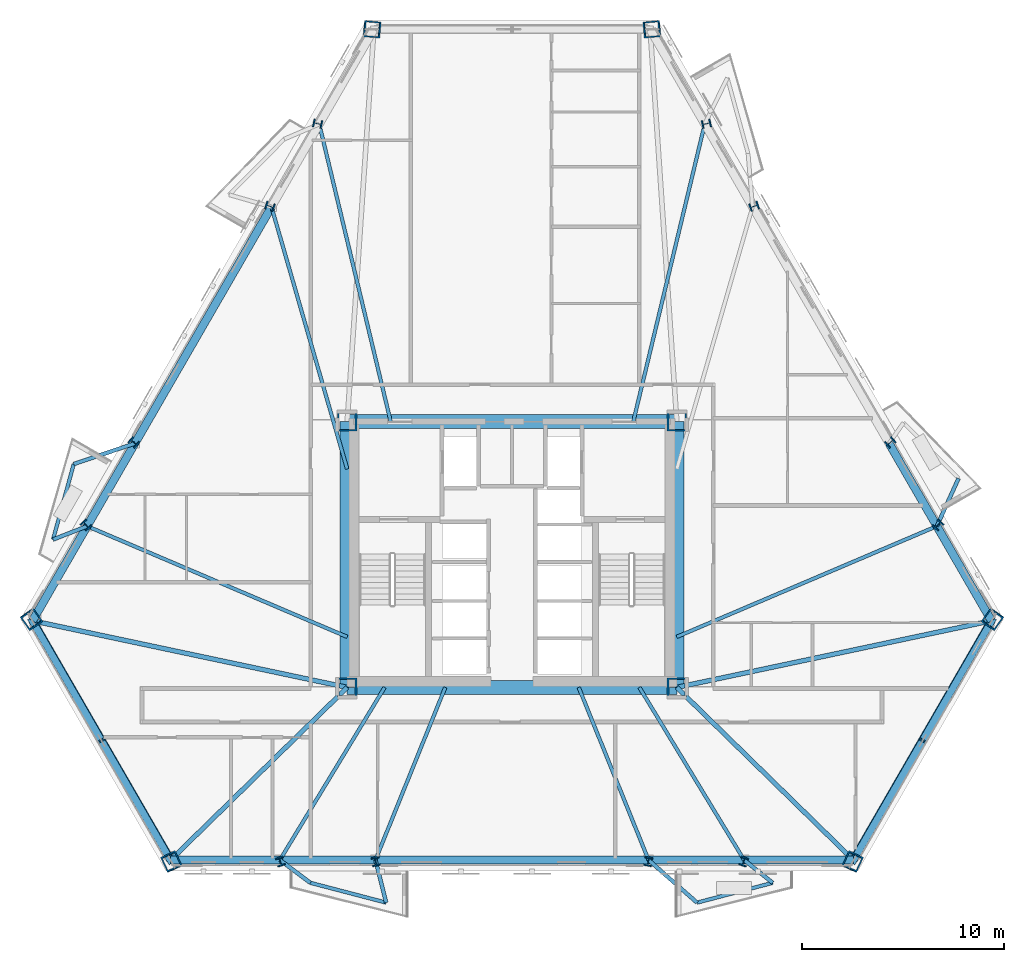
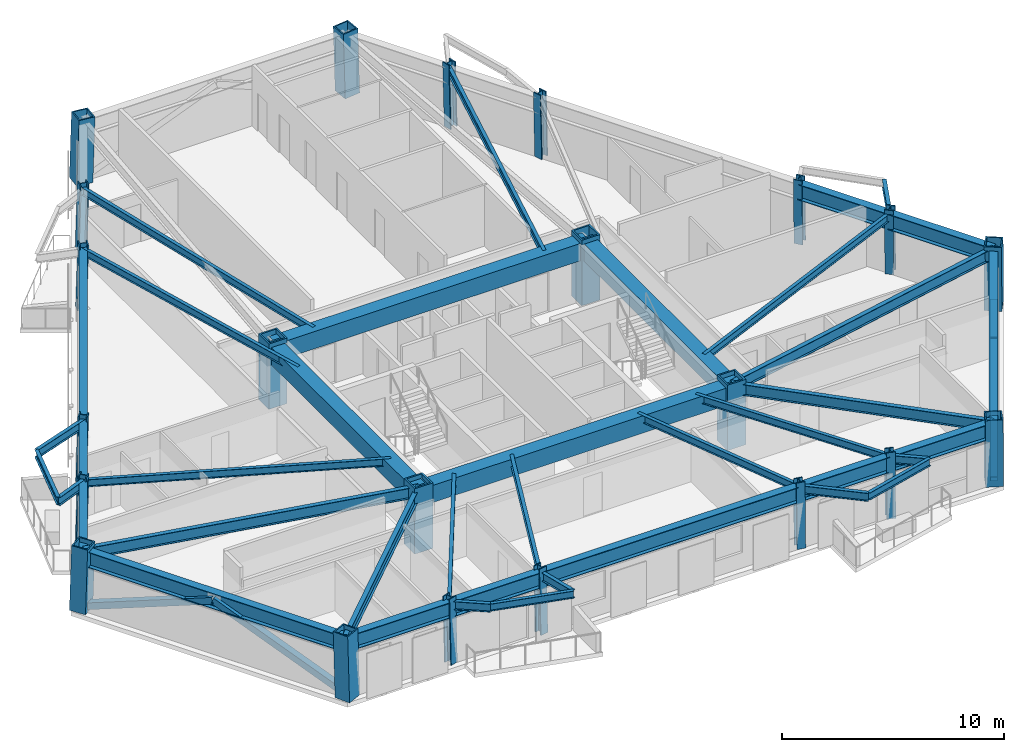
# One storey, part 1 of 10: 39 beams, 22 columns, 4 members.
"""IFC4 building model written with IfcOpenShell, lengths in metres."""

from ifc_helpers import new_model, si_unit, direction, frame, origin, origin_2d, place, context, subcontext, project, spatial, rectangle, hollow_rectangle, i_section, extrude, material, material_profile, profile_set, type_object, element, save


model = new_model("IFC4")

# Units and contexts
model_context = context("Model", 3, precision=1e-05, world=origin(), true_north=direction((0.0, 1.0)))
body_context = subcontext(model_context, "Body", "Model", "MODEL_VIEW")
ifc_project = project(units=[si_unit("LENGTHUNIT", "METRE"), si_unit("AREAUNIT", "SQUARE_METRE"), si_unit("VOLUMEUNIT", "CUBIC_METRE"), si_unit("PLANEANGLEUNIT", "RADIAN"), si_unit("MASSUNIT", "GRAM", prefix="KILO")], contexts=[model_context])

# Site, building, storey
site_placement = place(None, origin())
site = spatial("IfcSite", under=ifc_project, at=site_placement, CompositionType="ELEMENT")
building_placement = place(site_placement, origin())
building = spatial("IfcBuilding", under=site, at=building_placement, Name="Oramaril Tower", CompositionType="ELEMENT")
storey_placement = place(building_placement, frame((0.0, 0.0, 63.300048828125)))
storey = spatial("IfcBuildingStorey", under=building, at=storey_placement, Name="L16", CompositionType="ELEMENT", Elevation=63.300048828125)

# Columns
ifc_material_1 = material(Name="Steel ASTM A572 Gr 50", Category="steel")
ifc_material_profile_1 = material_profile(ifc_material_1, hollow_rectangle(XDim=0.949951171875, YDim=0.949951171875, WallThickness=0.080078125, at=origin_2d()), Name="BOX950X950X80")
ifc_profile_set_1 = profile_set([ifc_material_profile_1], Name="Steel ASTM A572 Gr 50")
column_type_1 = type_object("IfcColumnType", Name="CT-CC2", PredefinedType="COLUMN", material=ifc_profile_set_1)
for number, where, z_axis, x_axis, name in (
    (1, (29.35009765625, 11.0, 0.0), (0.0, 0.0, 1.0), (1.0, 0.0, 0.0), "L16 Core Column CC-1"),
    (2, (45.64990234375, 11.0, 0.0), (0.0, 0.0, 1.0), (1.0, 0.0, 0.0), "L16 Core Column CC-2"),
    (3, (45.64990234375, 24.14990234375, 0.0), (0.0, 0.0, 1.0), (1.0, 0.0, 0.0), "L16 Core Column CC-3"),
    (4, (29.35009765625, 24.14990234375, 0.0), (0.0, 0.0, 1.0), (1.0, 0.0, 0.0), "L16 Core Column CC-4"),
):
    element("IfcColumn", number, at=place(storey_placement, frame(where, z_axis=z_axis, x_axis=x_axis)), inside=storey, type_object=column_type_1, Name=name, PredefinedType="COLUMN", context=body_context, shape_type="SweptSolid", body=[
        extrude(hollow_rectangle(XDim=0.949951171875, YDim=0.949951171875, WallThickness=0.080078125, at=origin_2d()), origin(), (0.0, 0.0, 1.0), 3.599853515625),
    ])
ifc_material_2 = material(Name="Steel ASTM A572 Gr 50", Category="steel")
ifc_material_profile_2 = material_profile(ifc_material_2, hollow_rectangle(XDim=0.800048828125, YDim=0.800048828125, WallThickness=0.06494140625, at=origin_2d()), Name="BOX800X800X65")
ifc_profile_set_2 = profile_set([ifc_material_profile_2], Name="Steel ASTM A572 Gr 50")
column_type_2 = type_object("IfcColumnType", Name="CT-TC3", PredefinedType="COLUMN", material=ifc_profile_set_2)
for number, where, z_axis, x_axis, name in (
    (5, (13.726806640625, 14.38330078125, 0.00439453125), (0.016921115359, -0.023988569163, 0.99956901933), (0.817160280721, 0.57641050963, 0.0), "L16 Tube Column TC-01"),
    (6, (20.66259765625, 2.370361328125, 0.00439453125), (-0.012368061436, 0.026570945172, 0.999570415693), (-0.906597355845, -0.421996723181, 0.0), "L16 Tube Column TC-02"),
    (7, (54.33740234375, 2.370361328125, 0.00439453125), (0.012368061436, 0.026570945172, 0.999570415693), (-0.906597355845, 0.421996723181, 0.0), "L16 Tube Column TC-03"),
    (8, (61.273193359375, 14.38330078125, 0.00439453125), (-0.016921115359, -0.023988569163, 0.99956901933), (0.817160280721, -0.57641050963, 0.0), "L16 Tube Column TC-04"),
    (9, (44.435791015625, 43.54638671875, 0.00439453125), (-0.029221221178, -0.002582340476, 0.999569633268), (0.088029024614, -0.996117910102, 0.0), "L16 Tube Column TC-05"),
    (10, (30.564208984375, 43.54638671875, 0.00439453125), (0.029221221178, -0.002582340476, 0.999569633268), (0.088029024614, 0.996117910102, 0.0), "L16 Tube Column TC-06"),
):
    element("IfcColumn", number, at=place(storey_placement, frame(where, z_axis=z_axis, x_axis=x_axis)), inside=storey, type_object=column_type_2, Name=name, PredefinedType="COLUMN", context=body_context, shape_type="SweptSolid", body=[
        extrude(hollow_rectangle(XDim=0.800048828125, YDim=0.800048828125, WallThickness=0.06494140625, at=origin_2d()), origin(), (0.0, 0.0, 1.0), 3.592529296875),
    ])
ifc_material_3 = material(Name="Steel ASTM A572 Gr 50", Category="steel")
ifc_material_profile_3 = material_profile(ifc_material_3, i_section(OverallWidth=0.410888671875, OverallDepth=0.43408203125, WebThickness=0.035888671875, FlangeThickness=0.057373046875, at=origin_2d()), Name="W14X311")
ifc_profile_set_3 = profile_set([ifc_material_profile_3], Name="Steel ASTM A572 Gr 50")
column_type_3 = type_object("IfcColumnType", Name="CT-TF2", PredefinedType="COLUMN", material=ifc_profile_set_3)
column_1_placement = place(storey_placement, frame((26.050537109375, 2.370361328125, 0.00439453125), z_axis=(-0.008358982258, 0.026572049292, 0.999611951515), x_axis=(-0.953913931434, -0.300080341602, 0.0)))
element("IfcColumn", 11, at=column_1_placement, inside=storey, type_object=column_type_3, Name="L16 Tube Column TC-07", PredefinedType="COLUMN", context=body_context, shape_type="SweptSolid", body=[
    extrude(i_section(OverallWidth=0.410888671875, OverallDepth=0.43408203125, WebThickness=0.035888671875, FlangeThickness=0.057373046875, at=origin_2d()), origin(), (0.0, 0.0, 1.0), 3.592529296875),
])
for number, where, z_axis, x_axis, name in (
    (12, (30.764892578125, 2.370361328125, 0.00439453125), (-0.00489317516, 0.026572659547, 0.999634908655), (-0.983464979399, -0.181098410529, 0.0), "L16 Tube Column TC-08"),
    (13, (44.235107421875, 2.370361328125, 0.00439453125), (0.00489317516, 0.026572659547, 0.999634908655), (-0.983464979399, 0.181098410529, 0.0), "L16 Tube Column TC-09"),
):
    element("IfcColumn", number, at=place(storey_placement, frame(where, z_axis=z_axis, x_axis=x_axis)), inside=storey, type_object=column_type_3, Name=name, PredefinedType="COLUMN", context=body_context, shape_type="SweptSolid", body=[
        extrude(i_section(OverallWidth=0.410888671875, OverallDepth=0.43408203125, WebThickness=0.035888671875, FlangeThickness=0.057373046875, at=origin_2d()), origin(), (0.0, 0.0, 1.0), 3.59228515625),
    ])
for number, where, z_axis, x_axis, name in (
    (14, (48.949462890625, 2.370361328125, 0.00439453125), (0.008358982258, 0.026572049292, 0.999611951515), (-0.953913931434, 0.300080341602, 0.0), "L16 Tube Column TC-10"),
    (15, (58.5791015625, 19.04931640625, 0.00439453125), (-0.01882467693, -0.020591614115, 0.999610732719), (0.738063469676, -0.67473129076, 0.0), "L16 Tube Column TC-11"),
):
    element("IfcColumn", number, at=place(storey_placement, frame(where, z_axis=z_axis, x_axis=x_axis)), inside=storey, type_object=column_type_3, Name=name, PredefinedType="COLUMN", context=body_context, shape_type="SweptSolid", body=[
        extrude(i_section(OverallWidth=0.410888671875, OverallDepth=0.43408203125, WebThickness=0.035888671875, FlangeThickness=0.057373046875, at=origin_2d()), origin(), (0.0, 0.0, 1.0), 3.592529296875),
    ])
for number, where, z_axis, x_axis, name in (
    (16, (56.221923828125, 23.132080078125, 0.00439453125), (-0.020592097484, -0.017533865184, 0.999634197641), (0.648304646434, -0.761381038254, 0.0), "L16 Tube Column TC-12"),
    (17, (49.48681640625, 34.797607421875, 0.00439453125), (-0.025485272635, -0.009038776695, 0.999634333841), (0.334265827248, -0.942478836226, 0.0), "L16 Tube Column TC-13"),
):
    element("IfcColumn", number, at=place(storey_placement, frame(where, z_axis=z_axis, x_axis=x_axis)), inside=storey, type_object=column_type_3, Name=name, PredefinedType="COLUMN", context=body_context, shape_type="SweptSolid", body=[
        extrude(i_section(OverallWidth=0.410888671875, OverallDepth=0.43408203125, WebThickness=0.035888671875, FlangeThickness=0.057373046875, at=origin_2d()), origin(), (0.0, 0.0, 1.0), 3.59228515625),
    ])
for number, where, z_axis, x_axis, name in (
    (18, (47.129638671875, 38.88037109375, 0.00439453125), (-0.02725159654, -0.006048359332, 0.999610307988), (0.216672677077, -0.976244309079, 0.0), "L16 Tube Column TC-14"),
    (19, (27.870361328125, 38.88037109375, 0.00439453125), (0.02725159654, -0.006048359332, 0.999610307988), (0.216672677077, 0.976244309079, 0.0), "L16 Tube Column TC-15"),
):
    element("IfcColumn", number, at=place(storey_placement, frame(where, z_axis=z_axis, x_axis=x_axis)), inside=storey, type_object=column_type_3, Name=name, PredefinedType="COLUMN", context=body_context, shape_type="SweptSolid", body=[
        extrude(i_section(OverallWidth=0.410888671875, OverallDepth=0.43408203125, WebThickness=0.035888671875, FlangeThickness=0.057373046875, at=origin_2d()), origin(), (0.0, 0.0, 1.0), 3.592529296875),
    ])
for number, where, z_axis, x_axis, name in (
    (20, (25.51318359375, 34.797607421875, 0.00439453125), (0.025485272635, -0.009038776695, 0.999634333841), (0.334265827248, 0.942478836226, 0.0), "L16 Tube Column TC-16"),
    (21, (18.778076171875, 23.132080078125, 0.00439453125), (0.020592097484, -0.017533865184, 0.999634197641), (0.648304646434, 0.761381038254, 0.0), "L16 Tube Column TC-17"),
):
    element("IfcColumn", number, at=place(storey_placement, frame(where, z_axis=z_axis, x_axis=x_axis)), inside=storey, type_object=column_type_3, Name=name, PredefinedType="COLUMN", context=body_context, shape_type="SweptSolid", body=[
        extrude(i_section(OverallWidth=0.410888671875, OverallDepth=0.43408203125, WebThickness=0.035888671875, FlangeThickness=0.057373046875, at=origin_2d()), origin(), (0.0, 0.0, 1.0), 3.59228515625),
    ])
column_2_placement = place(storey_placement, frame((16.4208984375, 19.04931640625, 0.00439453125), z_axis=(0.01882467693, -0.020591614115, 0.999610732719), x_axis=(0.738063469676, 0.67473129076, 0.0)))
element("IfcColumn", 22, at=column_2_placement, inside=storey, type_object=column_type_3, Name="L16 Tube Column TC-18", PredefinedType="COLUMN", context=body_context, shape_type="SweptSolid", body=[
    extrude(i_section(OverallWidth=0.410888671875, OverallDepth=0.43408203125, WebThickness=0.035888671875, FlangeThickness=0.057373046875, at=origin_2d()), origin(), (0.0, 0.0, 1.0), 3.592529296875),
])

# Beams
ifc_material_4 = material(Name="Steel ASTM A572 Gr 50", Category="steel")
ifc_material_profile_4 = material_profile(ifc_material_4, i_section(OverallWidth=0.19091796875, OverallDepth=0.45703125, WebThickness=0.009033203125, FlangeThickness=0.014404296875, at=origin_2d()), Name="W18X50")
ifc_profile_set_4 = profile_set([ifc_material_profile_4], Name="Steel ASTM A572 Gr 50")
beam_type_1 = type_object("IfcBeamType", Name="BT-BB1", PredefinedType="BEAM", material=ifc_profile_set_4)
beam_1_placement = place(storey_placement, frame((26.0205078125, 2.4658203125, 3.13134765625), z_axis=(0.801164290805, -0.598444466212, 0.0), x_axis=(0.598444466212, 0.801164290805, 0.0)))
element("IfcBeam", 23, at=beam_1_placement, inside=storey, type_object=beam_type_1, Name="L16 Balcony Column-Framed Cantilever 01.1", PredefinedType="BEAM", context=body_context, shape_type="SweptSolid", body=[
    extrude(i_section(OverallWidth=0.19091796875, OverallDepth=0.45703125, WebThickness=0.009033203125, FlangeThickness=0.014404296875, at=origin_2d()), origin(), (0.0, 0.0, 1.0), 1.884765625),
])
beam_2_placement = place(storey_placement, frame((30.747314453125, 2.4658203125, 3.13134765625), z_axis=(0.242694245484, -0.970102831255, 0.0), x_axis=(0.970102831255, 0.242694245484, 0.0)))
element("IfcBeam", 24, at=beam_2_placement, inside=storey, type_object=beam_type_1, Name="L16 Balcony Column-Framed Cantilever 01.2", PredefinedType="BEAM", context=body_context, shape_type="SweptSolid", body=[
    extrude(i_section(OverallWidth=0.19091796875, OverallDepth=0.45703125, WebThickness=0.009033203125, FlangeThickness=0.014404296875, at=origin_2d()), origin(), (0.0, 0.0, 1.0), 2.1728515625),
])
beam_3_placement = place(storey_placement, frame((44.252685546875, 2.4658203125, 3.13134765625), z_axis=(0.7510350394, -0.660262349066, 0.0), x_axis=(0.660262349066, 0.7510350394, 0.0)))
element("IfcBeam", 25, at=beam_3_placement, inside=storey, type_object=beam_type_1, Name="L16 Balcony Column-Framed Cantilever 02.1", PredefinedType="BEAM", context=body_context, shape_type="SweptSolid", body=[
    extrude(i_section(OverallWidth=0.19091796875, OverallDepth=0.45703125, WebThickness=0.009033203125, FlangeThickness=0.014404296875, at=origin_2d()), origin(), (0.0, 0.0, 1.0), 3.192626953125),
])
beam_4_placement = place(storey_placement, frame((48.9794921875, 2.4658203125, 3.13134765625), z_axis=(0.781920814018, -0.623377767172, 0.0), x_axis=(0.623377767172, 0.781920814018, 0.0)))
element("IfcBeam", 26, at=beam_4_placement, inside=storey, type_object=beam_type_1, Name="L16 Balcony Column-Framed Cantilever 02.2", PredefinedType="BEAM", context=body_context, shape_type="SweptSolid", body=[
    extrude(i_section(OverallWidth=0.19091796875, OverallDepth=0.45703125, WebThickness=0.009033203125, FlangeThickness=0.014404296875, at=origin_2d()), origin(), (0.0, 0.0, 1.0), 1.809326171875),
])
beam_5_placement = place(storey_placement, frame((58.511474609375, 18.975341796875, 3.13134765625), z_axis=(0.412731597542, 0.910852693025, 0.0), x_axis=(-0.910852693025, 0.412731597542, 0.0)))
element("IfcBeam", 27, at=beam_5_placement, inside=storey, type_object=beam_type_1, Name="L16 Balcony Column-Framed Cantilever 03.1", PredefinedType="BEAM", context=body_context, shape_type="SweptSolid", body=[
    extrude(i_section(OverallWidth=0.19091796875, OverallDepth=0.45703125, WebThickness=0.009033203125, FlangeThickness=0.014404296875, at=origin_2d()), origin(), (0.0, 0.0, 1.0), 2.59326171875),
])
beam_6_placement = place(storey_placement, frame((18.85205078125, 23.069091796875, 3.13134765625), z_axis=(-0.947328807379, -0.320262596489, 0.0), x_axis=(0.320262596489, -0.947328807379, 0.0)))
element("IfcBeam", 28, at=beam_6_placement, inside=storey, type_object=beam_type_1, Name="L16 Balcony Column-Framed Cantilever 06.1", PredefinedType="BEAM", context=body_context, shape_type="SweptSolid", body=[
    extrude(i_section(OverallWidth=0.19091796875, OverallDepth=0.45703125, WebThickness=0.009033203125, FlangeThickness=0.014404296875, at=origin_2d()), origin(), (0.0, 0.0, 1.0), 3.192626953125),
])
beam_7_placement = place(storey_placement, frame((16.488525390625, 18.975341796875, 3.13134765625), z_axis=(-0.930858053292, -0.365381012946, 0.0), x_axis=(0.365381012946, -0.930858053292, 0.0)))
element("IfcBeam", 29, at=beam_7_placement, inside=storey, type_object=beam_type_1, Name="L16 Balcony Column-Framed Cantilever 06.2", PredefinedType="BEAM", context=body_context, shape_type="SweptSolid", body=[
    extrude(i_section(OverallWidth=0.19091796875, OverallDepth=0.45703125, WebThickness=0.009033203125, FlangeThickness=0.014404296875, at=origin_2d()), origin(), (0.0, 0.0, 1.0), 1.809326171875),
])
ifc_material_5 = material(Name="Concrete C50/60", Category="concrete")
ifc_material_profile_5 = material_profile(ifc_material_5, rectangle(XDim=0.699951171875, YDim=0.949951171875, at=origin_2d()), Name="CB700X950")
ifc_profile_set_5 = profile_set([ifc_material_profile_5], Name="Concrete C50/60")
beam_type_2 = type_object("IfcBeamType", Name="BT-CB1", PredefinedType="BEAM", material=ifc_profile_set_5)
beam_8_placement = place(storey_placement, frame((29.35009765625, 11.0, 2.885009765625), z_axis=(1.0, 0.0, 0.0), x_axis=(0.0, 1.0, 0.0)))
element("IfcBeam", 30, at=beam_8_placement, inside=storey, type_object=beam_type_2, Name="L16 Core Header Beam CB-1", PredefinedType="BEAM", context=body_context, shape_type="SweptSolid", body=[
    extrude(rectangle(XDim=0.699951171875, YDim=0.949951171875, at=origin_2d()), origin(), (0.0, 0.0, 1.0), 16.2998046875),
])
beam_9_placement = place(storey_placement, frame((45.64990234375, 11.0, 2.885009765625), z_axis=(0.0, 1.0, 0.0), x_axis=(-1.0, 0.0, 0.0)))
element("IfcBeam", 31, at=beam_9_placement, inside=storey, type_object=beam_type_2, Name="L16 Core Header Beam CB-2", PredefinedType="BEAM", context=body_context, shape_type="SweptSolid", body=[
    extrude(rectangle(XDim=0.699951171875, YDim=0.949951171875, at=origin_2d()), origin(), (0.0, 0.0, 1.0), 13.14990234375),
])
beam_10_placement = place(storey_placement, frame((45.64990234375, 24.14990234375, 2.885009765625), z_axis=(-1.0, 0.0, 0.0), x_axis=(0.0, -1.0, 0.0)))
element("IfcBeam", 32, at=beam_10_placement, inside=storey, type_object=beam_type_2, Name="L16 Core Header Beam CB-3", PredefinedType="BEAM", context=body_context, shape_type="SweptSolid", body=[
    extrude(rectangle(XDim=0.699951171875, YDim=0.949951171875, at=origin_2d()), origin(), (0.0, 0.0, 1.0), 16.2998046875),
])
beam_11_placement = place(storey_placement, frame((29.35009765625, 24.14990234375, 2.885009765625), z_axis=(0.0, -1.0, 0.0), x_axis=(1.0, 0.0, 0.0)))
element("IfcBeam", 33, at=beam_11_placement, inside=storey, type_object=beam_type_2, Name="L16 Core Header Beam CB-4", PredefinedType="BEAM", context=body_context, shape_type="SweptSolid", body=[
    extrude(rectangle(XDim=0.699951171875, YDim=0.949951171875, at=origin_2d()), origin(), (0.0, 0.0, 1.0), 13.14990234375),
])
ifc_material_6 = material(Name="Steel ASTM A572 Gr 50", Category="steel")
ifc_material_profile_6 = material_profile(ifc_material_6, i_section(OverallWidth=0.22900390625, OverallDepth=0.612060546875, WebThickness=0.011962890625, FlangeThickness=0.01953125, at=origin_2d()), Name="W24X84")
ifc_profile_set_6 = profile_set([ifc_material_profile_6], Name="Steel ASTM A572 Gr 50")
beam_type_3 = type_object("IfcBeamType", Name="BT-FB1", PredefinedType="BEAM", material=ifc_profile_set_6)
beam_12_placement = place(storey_placement, frame((29.35009765625, 11.0, 3.053955078125), z_axis=(-0.978285355637, 0.207262545932, 0.0), x_axis=(-0.207262545932, -0.978285355637, 0.0)))
element("IfcBeam", 34, at=beam_12_placement, inside=storey, type_object=beam_type_3, Name="L16 Radial Primary Beam RB-01", PredefinedType="BEAM", context=body_context, shape_type="SweptSolid", body=[
    extrude(i_section(OverallWidth=0.22900390625, OverallDepth=0.612060546875, WebThickness=0.011962890625, FlangeThickness=0.01953125, at=origin_2d()), origin(), (0.0, 0.0, 1.0), 15.907958984375),
])
for number, where, z_axis, x_axis, name in (
    (35, (29.35009765625, 11.0, 3.053955078125), (-0.715158579464, -0.698962235188, 0.0), (0.698962235188, -0.715158579464, 0.0), "L16 Radial Primary Beam RB-02"),
    (36, (45.64990234375, 11.0, 3.053955078125), (0.715158579464, -0.698962235188, 0.0), (0.698962235188, 0.715158579464, 0.0), "L16 Radial Primary Beam RB-03"),
):
    element("IfcBeam", number, at=place(storey_placement, frame(where, z_axis=z_axis, x_axis=x_axis)), inside=storey, type_object=beam_type_3, Name=name, PredefinedType="BEAM", context=body_context, shape_type="SweptSolid", body=[
        extrude(i_section(OverallWidth=0.22900390625, OverallDepth=0.612060546875, WebThickness=0.011962890625, FlangeThickness=0.01953125, at=origin_2d()), origin(), (0.0, 0.0, 1.0), 12.209716796875),
    ])
beam_13_placement = place(storey_placement, frame((45.64990234375, 11.0, 3.053955078125), z_axis=(0.978285355637, 0.207262545932, 0.0), x_axis=(-0.207262545932, 0.978285355637, 0.0)))
element("IfcBeam", 37, at=beam_13_placement, inside=storey, type_object=beam_type_3, Name="L16 Radial Primary Beam RB-04", PredefinedType="BEAM", context=body_context, shape_type="SweptSolid", body=[
    extrude(i_section(OverallWidth=0.22900390625, OverallDepth=0.612060546875, WebThickness=0.011962890625, FlangeThickness=0.01953125, at=origin_2d()), origin(), (0.0, 0.0, 1.0), 15.907958984375),
])
ifc_material_7 = material(Name="Steel ASTM A572 Gr 50", Category="steel")
ifc_material_profile_7 = material_profile(ifc_material_7, i_section(OverallWidth=0.177978515625, OverallDepth=0.404052734375, WebThickness=0.007568359375, FlangeThickness=0.010986328125, at=origin_2d()), Name="W16X36")
ifc_profile_set_7 = profile_set([ifc_material_profile_7], Name="Steel ASTM A572 Gr 50")
beam_type_4 = type_object("IfcBeamType", Name="BT-SB1", PredefinedType="BEAM", material=ifc_profile_set_7)
beam_14_placement = place(storey_placement, frame((31.199951171875, 11.0, 3.157958984375), z_axis=(-0.518830069644, -0.854877394036, 0.0), x_axis=(0.854877394036, -0.518830069644, 0.0)))
element("IfcBeam", 38, at=beam_14_placement, inside=storey, type_object=beam_type_4, Name="L16 Secondary Floor Beam SB-01", PredefinedType="BEAM", context=body_context, shape_type="SweptSolid", body=[
    extrude(i_section(OverallWidth=0.177978515625, OverallDepth=0.404052734375, WebThickness=0.007568359375, FlangeThickness=0.010986328125, at=origin_2d()), origin(), (0.0, 0.0, 1.0), 9.98291015625),
])
for number, where, z_axis, x_axis, name in (
    (39, (34.199951171875, 11.0, 3.157958984375), (-0.375036504018, -0.927010043448, 0.0), (0.927010043448, -0.375036504018, 0.0), "L16 Secondary Floor Beam SB-02"),
    (40, (40.800048828125, 11.0, 3.157958984375), (0.375036504018, -0.927010043448, 0.0), (0.927010043448, 0.375036504018, 0.0), "L16 Secondary Floor Beam SB-03"),
):
    element("IfcBeam", number, at=place(storey_placement, frame(where, z_axis=z_axis, x_axis=x_axis)), inside=storey, type_object=beam_type_4, Name=name, PredefinedType="BEAM", context=body_context, shape_type="SweptSolid", body=[
        extrude(i_section(OverallWidth=0.177978515625, OverallDepth=0.404052734375, WebThickness=0.007568359375, FlangeThickness=0.010986328125, at=origin_2d()), origin(), (0.0, 0.0, 1.0), 9.2060546875),
    ])
beam_15_placement = place(storey_placement, frame((43.800048828125, 11.0, 3.157958984375), z_axis=(0.518830069644, -0.854877394036, 0.0), x_axis=(0.854877394036, 0.518830069644, 0.0)))
element("IfcBeam", 41, at=beam_15_placement, inside=storey, type_object=beam_type_4, Name="L16 Secondary Floor Beam SB-04", PredefinedType="BEAM", context=body_context, shape_type="SweptSolid", body=[
    extrude(i_section(OverallWidth=0.177978515625, OverallDepth=0.404052734375, WebThickness=0.007568359375, FlangeThickness=0.010986328125, at=origin_2d()), origin(), (0.0, 0.0, 1.0), 9.98291015625),
])
beam_16_placement = place(storey_placement, frame((45.64990234375, 13.5, 3.157958984375), z_axis=(0.920094510084, 0.391696429028, 0.0), x_axis=(-0.391696429028, 0.920094510084, 0.0)))
element("IfcBeam", 42, at=beam_16_placement, inside=storey, type_object=beam_type_4, Name="L16 Secondary Floor Beam SB-05", PredefinedType="BEAM", context=body_context, shape_type="SweptSolid", body=[
    extrude(i_section(OverallWidth=0.177978515625, OverallDepth=0.404052734375, WebThickness=0.007568359375, FlangeThickness=0.010986328125, at=origin_2d()), origin(), (0.0, 0.0, 1.0), 13.978515625),
])
for number, where, z_axis, x_axis, name in (
    (43, (43.5, 24.14990234375, 3.157958984375), (0.233475502364, 0.972362684288, 0.0), (-0.972362684288, 0.233475502364, 0.0), "L16 Secondary Floor Beam SB-07"),
    (44, (31.5, 24.14990234375, 3.157958984375), (-0.233475502364, 0.972362684288, 0.0), (-0.972362684288, -0.233475502364, 0.0), "L16 Secondary Floor Beam SB-08"),
):
    element("IfcBeam", number, at=place(storey_placement, frame(where, z_axis=z_axis, x_axis=x_axis)), inside=storey, type_object=beam_type_4, Name=name, PredefinedType="BEAM", context=body_context, shape_type="SweptSolid", body=[
        extrude(i_section(OverallWidth=0.177978515625, OverallDepth=0.404052734375, WebThickness=0.007568359375, FlangeThickness=0.010986328125, at=origin_2d()), origin(), (0.0, 0.0, 1.0), 15.126708984375),
    ])
beam_17_placement = place(storey_placement, frame((29.35009765625, 21.800048828125, 3.157958984375), z_axis=(-0.277532231758, 0.960716326673, 0.0), x_axis=(-0.960716326673, -0.277532231758, 0.0)))
element("IfcBeam", 45, at=beam_17_placement, inside=storey, type_object=beam_type_4, Name="L16 Secondary Floor Beam SB-09", PredefinedType="BEAM", context=body_context, shape_type="SweptSolid", body=[
    extrude(i_section(OverallWidth=0.177978515625, OverallDepth=0.404052734375, WebThickness=0.007568359375, FlangeThickness=0.010986328125, at=origin_2d()), origin(), (0.0, 0.0, 1.0), 13.4951171875),
])
beam_18_placement = place(storey_placement, frame((29.35009765625, 13.5, 3.157958984375), z_axis=(-0.920094510084, 0.391696429028, 0.0), x_axis=(-0.391696429028, -0.920094510084, 0.0)))
element("IfcBeam", 46, at=beam_18_placement, inside=storey, type_object=beam_type_4, Name="L16 Secondary Floor Beam SB-10", PredefinedType="BEAM", context=body_context, shape_type="SweptSolid", body=[
    extrude(i_section(OverallWidth=0.177978515625, OverallDepth=0.404052734375, WebThickness=0.007568359375, FlangeThickness=0.010986328125, at=origin_2d()), origin(), (0.0, 0.0, 1.0), 13.978515625),
])
beam_19_placement = place(storey_placement, frame((27.530517578125, 1.337890625, 3.157958984375), z_axis=(0.967411967632, -0.253207592467, 0.0), x_axis=(0.253207592467, 0.967411967632, 0.0)))
element("IfcBeam", 47, at=beam_19_placement, inside=storey, type_object=beam_type_4, Name="L16 Balcony Edge Tie Beam 01", PredefinedType="BEAM", context=body_context, shape_type="SweptSolid", body=[
    extrude(i_section(OverallWidth=0.177978515625, OverallDepth=0.404052734375, WebThickness=0.007568359375, FlangeThickness=0.010986328125, at=origin_2d()), origin(), (0.0, 0.0, 1.0), 3.870361328125),
])
for number, where, z_axis, x_axis, name in (
    (48, (46.650390625, 0.35791015625, 3.157958984375), (0.967407922874, 0.253223045479, 0.0), (-0.253223045479, 0.967407922874, 0.0), "L16 Balcony Edge Tie Beam 02"),
    (49, (15.82763671875, 22.046630859375, 3.157958984375), (-0.264440915482, -0.964401888332, 0.0), (0.964401888332, -0.264440915482, 0.0), "L16 Balcony Edge Tie Beam 06"),
):
    element("IfcBeam", number, at=place(storey_placement, frame(where, z_axis=z_axis, x_axis=x_axis)), inside=storey, type_object=beam_type_4, Name=name, PredefinedType="BEAM", context=body_context, shape_type="SweptSolid", body=[
        extrude(i_section(OverallWidth=0.177978515625, OverallDepth=0.404052734375, WebThickness=0.007568359375, FlangeThickness=0.010986328125, at=origin_2d()), origin(), (0.0, 0.0, 1.0), 3.8701171875),
    ])
ifc_material_8 = material(Name="Steel ASTM A572 Gr 50", Category="steel")
ifc_material_profile_8 = material_profile(ifc_material_8, i_section(OverallWidth=0.40087890625, OverallDepth=0.85595703125, WebThickness=0.018310546875, FlangeThickness=0.029296875, at=origin_2d()), Name="W33X201")
ifc_profile_set_8 = profile_set([ifc_material_profile_8], Name="Steel ASTM A572 Gr 50")
beam_type_5 = type_object("IfcBeamType", Name="BT-SP1", PredefinedType="SPANDREL", material=ifc_profile_set_8)
beam_20_placement = place(storey_placement, frame((13.78759765625, 14.297119140625, 2.931884765625), z_axis=(0.499986980295, -0.866032920584, 0.0), x_axis=(0.866032920584, 0.499986980295, 0.0)))
element("IfcBeam", 50, at=beam_20_placement, inside=storey, type_object=beam_type_5, Name="L16 Perimeter Spandrel 01", PredefinedType="SPANDREL", context=body_context, shape_type="SweptSolid", body=[
    extrude(i_section(OverallWidth=0.40087890625, OverallDepth=0.85595703125, WebThickness=0.018310546875, FlangeThickness=0.029296875, at=origin_2d()), origin(), (0.0, 0.0, 1.0), 13.661376953125),
])
beam_21_placement = place(storey_placement, frame((20.6181640625, 2.4658203125, 2.931884765625), z_axis=(1.0, 0.0, 0.0), x_axis=(0.0, 1.0, 0.0)))
element("IfcBeam", 51, at=beam_21_placement, inside=storey, type_object=beam_type_5, Name="L16 Perimeter Spandrel 02", PredefinedType="SPANDREL", context=body_context, shape_type="SweptSolid", body=[
    extrude(i_section(OverallWidth=0.40087890625, OverallDepth=0.85595703125, WebThickness=0.018310546875, FlangeThickness=0.029296875, at=origin_2d()), origin(), (0.0, 0.0, 1.0), 5.40234375),
])
beam_22_placement = place(storey_placement, frame((26.0205078125, 2.4658203125, 2.931884765625), z_axis=(1.0, 0.0, 0.0), x_axis=(0.0, 1.0, 0.0)))
element("IfcBeam", 52, at=beam_22_placement, inside=storey, type_object=beam_type_5, Name="L16 Perimeter Spandrel 03", PredefinedType="SPANDREL", context=body_context, shape_type="SweptSolid", body=[
    extrude(i_section(OverallWidth=0.40087890625, OverallDepth=0.85595703125, WebThickness=0.018310546875, FlangeThickness=0.029296875, at=origin_2d()), origin(), (0.0, 0.0, 1.0), 4.726806640625),
])
beam_23_placement = place(storey_placement, frame((30.747314453125, 2.4658203125, 2.931884765625), z_axis=(1.0, 0.0, 0.0), x_axis=(0.0, 1.0, 0.0)))
element("IfcBeam", 53, at=beam_23_placement, inside=storey, type_object=beam_type_5, Name="L16 Perimeter Spandrel 04", PredefinedType="SPANDREL", context=body_context, shape_type="SweptSolid", body=[
    extrude(i_section(OverallWidth=0.40087890625, OverallDepth=0.85595703125, WebThickness=0.018310546875, FlangeThickness=0.029296875, at=origin_2d()), origin(), (0.0, 0.0, 1.0), 13.50537109375),
])
beam_24_placement = place(storey_placement, frame((44.252685546875, 2.4658203125, 2.931884765625), z_axis=(1.0, 0.0, 0.0), x_axis=(0.0, 1.0, 0.0)))
element("IfcBeam", 54, at=beam_24_placement, inside=storey, type_object=beam_type_5, Name="L16 Perimeter Spandrel 05", PredefinedType="SPANDREL", context=body_context, shape_type="SweptSolid", body=[
    extrude(i_section(OverallWidth=0.40087890625, OverallDepth=0.85595703125, WebThickness=0.018310546875, FlangeThickness=0.029296875, at=origin_2d()), origin(), (0.0, 0.0, 1.0), 4.726806640625),
])
beam_25_placement = place(storey_placement, frame((48.9794921875, 2.4658203125, 2.931884765625), z_axis=(1.0, 0.0, 0.0), x_axis=(0.0, 1.0, 0.0)))
element("IfcBeam", 55, at=beam_25_placement, inside=storey, type_object=beam_type_5, Name="L16 Perimeter Spandrel 06", PredefinedType="SPANDREL", context=body_context, shape_type="SweptSolid", body=[
    extrude(i_section(OverallWidth=0.40087890625, OverallDepth=0.85595703125, WebThickness=0.018310546875, FlangeThickness=0.029296875, at=origin_2d()), origin(), (0.0, 0.0, 1.0), 5.40234375),
])
beam_26_placement = place(storey_placement, frame((54.3818359375, 2.4658203125, 2.931884765625), z_axis=(0.499986980295, 0.866032920584, 0.0), x_axis=(-0.866032920584, 0.499986980295, 0.0)))
element("IfcBeam", 56, at=beam_26_placement, inside=storey, type_object=beam_type_5, Name="L16 Perimeter Spandrel 07", PredefinedType="SPANDREL", context=body_context, shape_type="SweptSolid", body=[
    extrude(i_section(OverallWidth=0.40087890625, OverallDepth=0.85595703125, WebThickness=0.018310546875, FlangeThickness=0.029296875, at=origin_2d()), origin(), (0.0, 0.0, 1.0), 13.661376953125),
])
beam_27_placement = place(storey_placement, frame((61.21240234375, 14.297119140625, 2.931884765625), z_axis=(-0.499993700073, 0.866029041019, 0.0), x_axis=(-0.866029041019, -0.499993700073, 0.0)))
element("IfcBeam", 57, at=beam_27_placement, inside=storey, type_object=beam_type_5, Name="L16 Perimeter Spandrel 08", PredefinedType="SPANDREL", context=body_context, shape_type="SweptSolid", body=[
    extrude(i_section(OverallWidth=0.40087890625, OverallDepth=0.85595703125, WebThickness=0.018310546875, FlangeThickness=0.029296875, at=origin_2d()), origin(), (0.0, 0.0, 1.0), 5.40185546875),
])
beam_28_placement = place(storey_placement, frame((58.511474609375, 18.975341796875, 2.931884765625), z_axis=(-0.499999639225, 0.866025612078, 0.0), x_axis=(-0.866025612078, -0.499999639225, 0.0)))
element("IfcBeam", 58, at=beam_28_placement, inside=storey, type_object=beam_type_5, Name="L16 Perimeter Spandrel 09", PredefinedType="SPANDREL", context=body_context, shape_type="SweptSolid", body=[
    extrude(i_section(OverallWidth=0.40087890625, OverallDepth=0.85595703125, WebThickness=0.018310546875, FlangeThickness=0.029296875, at=origin_2d()), origin(), (0.0, 0.0, 1.0), 4.72705078125),
])
beam_29_placement = place(storey_placement, frame((25.604736328125, 34.76513671875, 2.931884765625), z_axis=(-0.499998381913, -0.866026337985, 0.0), x_axis=(0.866026337985, -0.499998381913, 0.0)))
element("IfcBeam", 59, at=beam_29_placement, inside=storey, type_object=beam_type_5, Name="L16 Perimeter Spandrel 16", PredefinedType="SPANDREL", context=body_context, shape_type="SweptSolid", body=[
    extrude(i_section(OverallWidth=0.40087890625, OverallDepth=0.85595703125, WebThickness=0.018310546875, FlangeThickness=0.029296875, at=origin_2d()), origin(), (0.0, 0.0, 1.0), 13.50537109375),
])
beam_30_placement = place(storey_placement, frame((18.85205078125, 23.069091796875, 2.931884765625), z_axis=(-0.499999639225, -0.866025612078, 0.0), x_axis=(0.866025612078, -0.499999639225, 0.0)))
element("IfcBeam", 60, at=beam_30_placement, inside=storey, type_object=beam_type_5, Name="L16 Perimeter Spandrel 17", PredefinedType="SPANDREL", context=body_context, shape_type="SweptSolid", body=[
    extrude(i_section(OverallWidth=0.40087890625, OverallDepth=0.85595703125, WebThickness=0.018310546875, FlangeThickness=0.029296875, at=origin_2d()), origin(), (0.0, 0.0, 1.0), 4.72705078125),
])
beam_31_placement = place(storey_placement, frame((16.488525390625, 18.975341796875, 2.931884765625), z_axis=(-0.499993700073, -0.866029041019, 0.0), x_axis=(0.866029041019, -0.499993700073, 0.0)))
element("IfcBeam", 61, at=beam_31_placement, inside=storey, type_object=beam_type_5, Name="L16 Perimeter Spandrel 18", PredefinedType="SPANDREL", context=body_context, shape_type="SweptSolid", body=[
    extrude(i_section(OverallWidth=0.40087890625, OverallDepth=0.85595703125, WebThickness=0.018310546875, FlangeThickness=0.029296875, at=origin_2d()), origin(), (0.0, 0.0, 1.0), 5.40185546875),
])

# Members
ifc_material_9 = material(Name="Steel ASTM A572 Gr 50", Category="steel")
ifc_material_profile_9 = material_profile(ifc_material_9, hollow_rectangle(XDim=0.35009765625, YDim=0.35009765625, WallThickness=0.01611328125, at=origin_2d()), Name="HSS350X350X16")
ifc_profile_set_9 = profile_set([ifc_material_profile_9], Name="Steel ASTM A572 Gr 50")
member_type = type_object("IfcMemberType", Name="MT-KB1", PredefinedType="BRACE", material=ifc_profile_set_9)
for number, where, z_axis, x_axis, name in (
    (62, (13.726806640625, 14.38330078125, 0.179931640625), (0.464739420569, -0.804983382446, 0.368807571716), (0.86603376664, 0.49998551483, 0.0), "L16 Perimeter Chevron Brace KB-1A"),
    (63, (20.66259765625, 2.370361328125, 0.179931640625), (-0.464777313105, 0.804959623865, 0.368811677108), (-0.866009723859, -0.500027157443, 0.0), "L16 Perimeter Chevron Brace KB-1B"),
    (64, (54.33740234375, 2.370361328125, 0.179931640625), (0.464777313105, 0.804959623865, 0.368811677108), (-0.866009723859, 0.500027157443, 0.0), "L16 Perimeter Chevron Brace KB-2A"),
    (65, (61.273193359375, 14.38330078125, 0.179931640625), (-0.464739420569, -0.804983382446, 0.368807571716), (0.86603376664, -0.49998551483, 0.0), "L16 Perimeter Chevron Brace KB-2B"),
):
    element("IfcMember", number, at=place(storey_placement, frame(where, z_axis=z_axis, x_axis=x_axis)), inside=storey, type_object=member_type, Name=name, PredefinedType="BRACE", context=body_context, shape_type="SweptSolid", body=[
        extrude(hollow_rectangle(XDim=0.35009765625, YDim=0.35009765625, WallThickness=0.01611328125, at=origin_2d()), origin(), (0.0, 0.0, 1.0), 7.461669921875),
    ])

save(model, "model.ifc")
